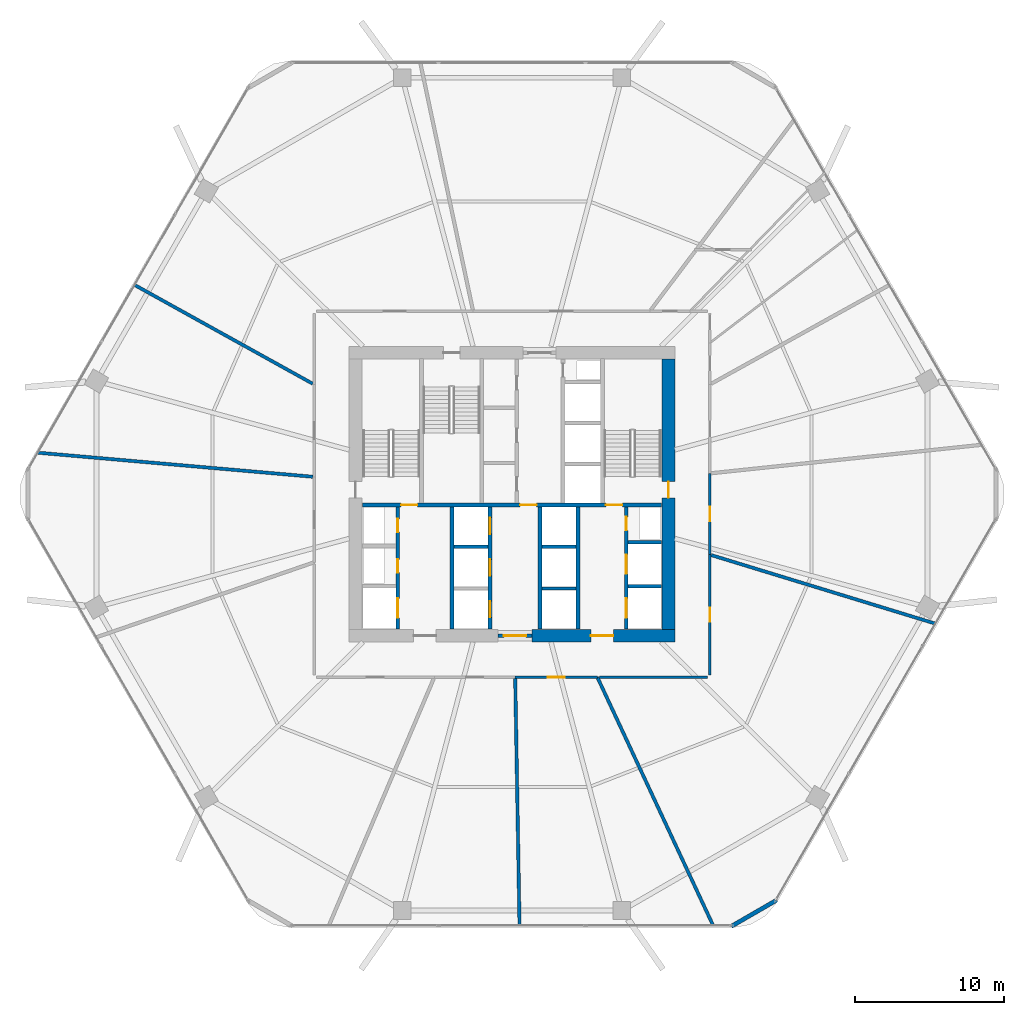
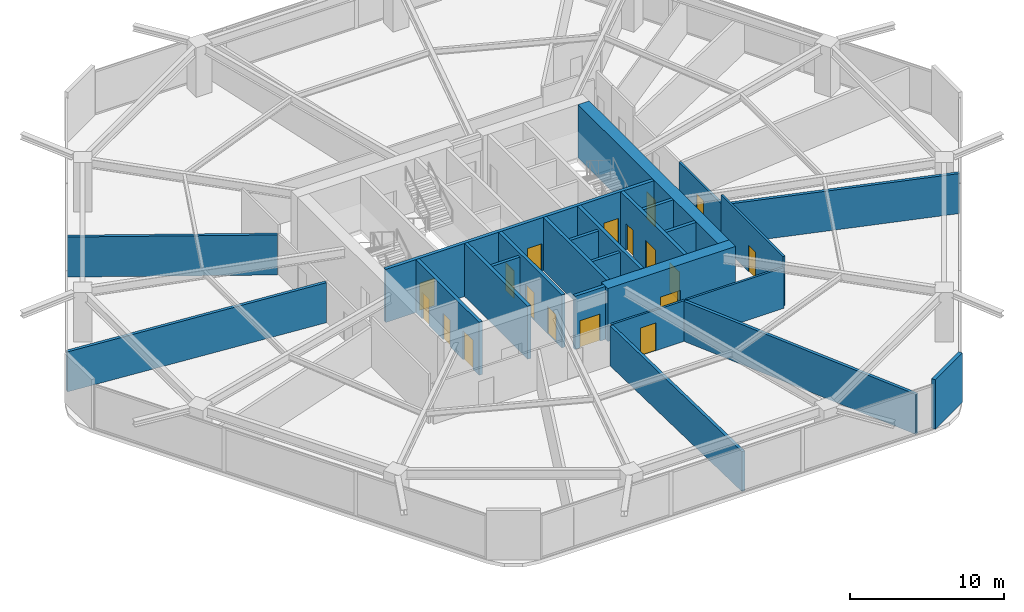
# One storey, part 22 of 25: 25 walls, 18 doors, 18 openings.
"""IFC4 building model written with IfcOpenShell, lengths in metres."""

from ifc_helpers import new_model, si_unit, direction, frame, frame_2d, origin, place, context, subcontext, project, spatial, rectangle, extrude, material, layer, layer_set, type_object, element, fill, save


model = new_model("IFC4")

# Units and contexts
model_context = context("Model", 3, precision=1e-05, world=origin(), true_north=direction((0.0, 1.0)))
body_context = subcontext(model_context, "Body", "Model", "MODEL_VIEW")
ifc_project = project(units=[si_unit("LENGTHUNIT", "METRE"), si_unit("AREAUNIT", "SQUARE_METRE"), si_unit("VOLUMEUNIT", "CUBIC_METRE"), si_unit("PLANEANGLEUNIT", "RADIAN"), si_unit("MASSUNIT", "GRAM", prefix="KILO")], contexts=[model_context])

# Site, building, storey
site_placement = place(None, origin())
site = spatial("IfcSite", under=ifc_project, at=site_placement, CompositionType="ELEMENT")
building_placement = place(site_placement, origin())
building = spatial("IfcBuilding", under=site, at=building_placement, Name="Zuhravey Tower", CompositionType="ELEMENT")
storey_placement = place(building_placement, frame((0.0, 0.0, 54.0)))
storey = spatial("IfcBuildingStorey", under=building, at=storey_placement, Name="L13", CompositionType="ELEMENT", Elevation=54.0)

# Wall, opening, door
ifc_material_1 = material(Name="Concrete C60/75", Category="concrete")
ifc_layer_1 = layer(ifc_material_1, 0.85009765625)
ifc_layer_set_1 = layer_set([ifc_layer_1], Name="Concrete C60/75")
wall_type_1 = type_object("IfcWallType", Name="Core Shear Wall 850", PredefinedType="SHEAR", material=ifc_layer_set_1)
wall_1_placement = place(storey_placement, frame((37.35009765625, 22.5, 0.0), z_axis=(0.0, 0.0, 1.0), x_axis=(1.0, 0.0, 0.0)))
wall_1 = element("IfcWall", 1, at=wall_1_placement, inside=storey, type_object=wall_type_1, Name="L13 South-East Core Shear Wall CW85", PredefinedType="SHEAR", context=body_context, shape_type="SweptSolid", body=[
    extrude(rectangle(XDim=9.574951171875, YDim=0.85009765625, at=frame_2d((4.78759765625, 0.0))), origin(), (0.0, 0.0, 1.0), 4.199951171875),
])
opening_1_placement = place(wall_1_placement, frame((3.949951171875, 0.0, 0.0)))
opening_1 = element("IfcOpeningElement", 2, at=opening_1_placement, cuts=wall_1, Name="Opening FFD1", PredefinedType="OPENING", context=body_context, shape_type="SweptSolid", body=[
    extrude(rectangle(XDim=1.5, YDim=2.14990234375, at=frame_2d((0.75, 1.074951171875))), frame((0.0, 0.43701171875, 0.0), z_axis=(0.0, -1.0, 0.0), x_axis=(1.0, 0.0, 0.0)), (0.0, 0.0, 1.0), 0.8740234375),
])
ifc_material_2 = material(Name="Galvanised fire-rated steel leaf", Category="steel")
door_type_1 = type_object("IfcDoorType", Name="Firefighting Lobby Double Door 1500x2150", OperationType="DOUBLE_DOOR_SINGLE_SWING", PredefinedType="DOOR", material=ifc_material_2)
door_1_placement = place(opening_1_placement, origin())
door_1 = element("IfcDoor", 3, at=door_1_placement, inside=storey, type_object=door_type_1, Name="L13 Firefighting Lobby East Door", OperationType="DOUBLE_DOOR_SINGLE_SWING", OverallHeight=2.14990234375, OverallWidth=1.5, PredefinedType="DOOR", context=body_context, shape_type="SweptSolid", body=[
    extrude(rectangle(XDim=1.5, YDim=2.14990234375, at=frame_2d((0.75, 1.074951171875))), frame((0.0, 0.02490234375, 0.0), z_axis=(0.0, -1.0, 0.0), x_axis=(1.0, 0.0, 0.0)), (0.0, 0.0, 1.0), 0.050048828125),
])
fill(opening_1, door_1)

wall_2_placement = place(storey_placement, frame((46.5, 22.925048828125, 0.0), z_axis=(0.0, 0.0, 1.0), x_axis=(0.0, 1.0, 0.0)))
wall_2 = element("IfcWall", 4, at=wall_2_placement, inside=storey, type_object=wall_type_1, Name="L13 East Core Shear Wall CW85", PredefinedType="SHEAR", context=body_context, shape_type="SweptSolid", body=[
    extrude(rectangle(XDim=18.14990234375, YDim=0.85009765625, at=frame_2d((9.074951171875, 0.0))), origin(), (0.0, 0.0, 1.0), 4.199951171875),
])
opening_2_placement = place(wall_2_placement, frame((8.824951171875, 0.0, 0.0)))
opening_2 = element("IfcOpeningElement", 5, at=opening_2_placement, cuts=wall_2, Name="Opening STD1", PredefinedType="OPENING", context=body_context, shape_type="SweptSolid", body=[
    extrude(rectangle(XDim=1.10009765625, YDim=2.14990234375, at=frame_2d((0.550048828125, 1.074951171875))), frame((0.0, 0.43701171875, 0.0), z_axis=(0.0, -1.0, 0.0), x_axis=(1.0, 0.0, 0.0)), (0.0, 0.0, 1.0), 0.8740234375),
])
door_type_2 = type_object("IfcDoorType", Name="Protected Stair Fire Door 1100x2150", OperationType="NOTDEFINED", PredefinedType="USERDEFINED", material=ifc_material_2)
door_2_placement = place(opening_2_placement, origin())
door_2 = element("IfcDoor", 6, at=door_2_placement, inside=storey, type_object=door_type_2, Name="L13 Stair ST2 Door", ObjectType="EXITDOOR", OperationType="SINGLE_SWING_RIGHT", OverallHeight=2.14990234375, OverallWidth=1.10009765625, PredefinedType="USERDEFINED", context=body_context, shape_type="SweptSolid", body=[
    extrude(rectangle(XDim=1.10009765625, YDim=2.14990234375, at=frame_2d((0.550048828125, 1.074951171875))), frame((0.0, 0.02490234375, 0.0), z_axis=(0.0, -1.0, 0.0), x_axis=(1.0, 0.0, 0.0)), (0.0, 0.0, 1.0), 0.050048828125),
])
fill(opening_2, door_2)

ifc_material_3 = material(Name="Gypsum fire-rated stud partition")
ifc_layer_2 = layer(ifc_material_3, 0.159912109375)
ifc_layer_set_2 = layer_set([ifc_layer_2], Name="Gypsum fire-rated stud partition")
wall_type_2 = type_object("IfcWallType", Name="Corridor Fire Partition 160", PredefinedType="PARTITIONING", material=ifc_layer_set_2)
wall_3_placement = place(storey_placement, frame((36.21435546875, 19.715087890625, 0.0), z_axis=(0.0, 0.0, 1.0), x_axis=(1.0, 0.0, 0.0)))
wall_3 = element("IfcWall", 7, at=wall_3_placement, inside=storey, type_object=wall_type_2, Name="L13 IW16 Partition 029", PredefinedType="PARTITIONING", context=body_context, shape_type="SweptSolid", body=[
    extrude(rectangle(XDim=5.51416015625, YDim=0.159912109375, at=frame_2d((2.757080078125, 0.0))), origin(), (0.0, 0.0, 1.0), 3.219970703125),
])
opening_3_placement = place(wall_3_placement, frame((2.18212890625, 0.0, 0.0)))
opening_3 = element("IfcOpeningElement", 8, at=opening_3_placement, cuts=wall_3, Name="Opening CLD1", PredefinedType="OPENING", context=body_context, shape_type="SweptSolid", body=[
    extrude(rectangle(XDim=1.14990234375, YDim=2.199951171875, at=frame_2d((0.574951171875, 1.10009765625))), frame((0.0, 0.092041015625, 0.0), z_axis=(0.0, -1.0, 0.0), x_axis=(1.0, 0.0, 0.0)), (0.0, 0.0, 1.0), 0.183837890625),
])
ifc_material_4 = material(Name="Acoustic timber leaf with vision lite", Category="wood")
door_type_3 = type_object("IfcDoorType", Name="Classroom Acoustic Door 1150x2200", OperationType="NOTDEFINED", PredefinedType="DOOR", material=ifc_material_4)
door_3_placement = place(opening_3_placement, frame((1.14990234375, 0.0, 0.0), z_axis=(0.0, 0.0, 1.0), x_axis=(-1.0, 0.0, 0.0)))
door_3 = element("IfcDoor", 9, at=door_3_placement, inside=storey, type_object=door_type_3, Name="L13 Door 029.1", OperationType="SINGLE_SWING_RIGHT", OverallHeight=2.199951171875, OverallWidth=1.14990234375, PredefinedType="DOOR", context=body_context, shape_type="SweptSolid", body=[
    extrude(rectangle(XDim=1.14990234375, YDim=2.199951171875, at=frame_2d((0.574951171875, 1.10009765625))), frame((0.0, 0.02490234375, 0.0), z_axis=(0.0, -1.0, 0.0), x_axis=(1.0, 0.0, 0.0)), (0.0, 0.0, 1.0), 0.050048828125),
])
fill(opening_3, door_3)

wall_4_placement = place(storey_placement, frame((49.284912109375, 19.875, 0.0), z_axis=(0.0, 0.0, 1.0), x_axis=(0.0, 1.0, 0.0)))
wall_4 = element("IfcWall", 10, at=wall_4_placement, inside=storey, type_object=wall_type_2, Name="L13 IW16 Partition 030", PredefinedType="PARTITIONING", context=body_context, shape_type="SweptSolid", body=[
    extrude(rectangle(XDim=8.0634765625, YDim=0.159912109375, at=frame_2d((4.03173828125, 0.0))), origin(), (0.0, 0.0, 1.0), 3.919921875),
])
opening_4_placement = place(wall_4_placement, frame((3.556640625, 0.0, 0.0)))
opening_4 = element("IfcOpeningElement", 11, at=opening_4_placement, cuts=wall_4, Name="Opening IND1", PredefinedType="OPENING", context=body_context, shape_type="SweptSolid", body=[
    extrude(rectangle(XDim=0.949951171875, YDim=2.10009765625, at=frame_2d((0.47509765625, 1.050048828125))), frame((0.0, 0.092041015625, 0.0), z_axis=(0.0, -1.0, 0.0), x_axis=(1.0, 0.0, 0.0)), (0.0, 0.0, 1.0), 0.183837890625),
])
ifc_material_5 = material(Name="Painted engineered timber leaf", Category="wood")
door_type_4 = type_object("IfcDoorType", Name="Internal Room & Bedroom Door 950x2100", OperationType="NOTDEFINED", PredefinedType="DOOR", material=ifc_material_5)
door_4_placement = place(opening_4_placement, frame((0.949951171875, 0.0, 0.0), z_axis=(0.0, 0.0, 1.0), x_axis=(-1.0, 0.0, 0.0)))
door_4 = element("IfcDoor", 12, at=door_4_placement, inside=storey, type_object=door_type_4, Name="L13 Door 030.1", OperationType="SINGLE_SWING_LEFT", OverallHeight=2.10009765625, OverallWidth=0.949951171875, PredefinedType="DOOR", context=body_context, shape_type="SweptSolid", body=[
    extrude(rectangle(XDim=0.949951171875, YDim=2.10009765625, at=frame_2d((0.47509765625, 1.050048828125))), frame((0.0, 0.02490234375, 0.0), z_axis=(0.0, -1.0, 0.0), x_axis=(1.0, 0.0, 0.0)), (0.0, 0.0, 1.0), 0.050048828125),
])
fill(opening_4, door_4)

wall_5_placement = place(storey_placement, frame((49.284912109375, 27.9384765625, 0.0), z_axis=(0.0, 0.0, 1.0), x_axis=(0.0, 1.0, 0.0)))
wall_5 = element("IfcWall", 13, at=wall_5_placement, inside=storey, type_object=wall_type_2, Name="L13 IW16 Partition 031", PredefinedType="PARTITIONING", context=body_context, shape_type="SweptSolid", body=[
    extrude(rectangle(XDim=5.457763671875, YDim=0.159912109375, at=frame_2d((2.72900390625, 0.0))), origin(), (0.0, 0.0, 1.0), 3.219970703125),
])
opening_5_placement = place(wall_5_placement, frame((2.25390625, 0.0, 0.0)))
opening_5 = element("IfcOpeningElement", 14, at=opening_5_placement, cuts=wall_5, Name="Opening IND1", PredefinedType="OPENING", context=body_context, shape_type="SweptSolid", body=[
    extrude(rectangle(XDim=0.949951171875, YDim=2.10009765625, at=frame_2d((0.47509765625, 1.050048828125))), frame((0.0, 0.092041015625, 0.0), z_axis=(0.0, -1.0, 0.0), x_axis=(1.0, 0.0, 0.0)), (0.0, 0.0, 1.0), 0.183837890625),
])
door_5_placement = place(opening_5_placement, frame((0.949951171875, 0.0, 0.0), z_axis=(0.0, 0.0, 1.0), x_axis=(-1.0, 0.0, 0.0)))
door_5 = element("IfcDoor", 15, at=door_5_placement, inside=storey, type_object=door_type_4, Name="L13 Door 031.1", OperationType="SINGLE_SWING_RIGHT", OverallHeight=2.10009765625, OverallWidth=0.949951171875, PredefinedType="DOOR", context=body_context, shape_type="SweptSolid", body=[
    extrude(rectangle(XDim=0.949951171875, YDim=2.10009765625, at=frame_2d((0.47509765625, 1.050048828125))), frame((0.0, 0.02490234375, 0.0), z_axis=(0.0, -1.0, 0.0), x_axis=(1.0, 0.0, 0.0)), (0.0, 0.0, 1.0), 0.050048828125),
])
fill(opening_5, door_5)

# Walls
wall_6_placement = place(storey_placement, frame((41.85888671875, 19.715087890625, 0.0), z_axis=(0.0, 0.0, 1.0), x_axis=(1.0, 0.0, 0.0)))
element("IfcWall", 16, at=wall_6_placement, inside=storey, type_object=wall_type_2, Name="L13 IW16 Partition 059", PredefinedType="PARTITIONING", context=body_context, shape_type="SweptSolid", body=[
    extrude(rectangle(XDim=7.26611328125, YDim=0.159912109375, at=frame_2d((3.633056640625, 0.0))), origin(), (0.0, 0.0, 1.0), 3.219970703125),
])
ifc_material_6 = material(Name="Precast concrete C40/50", Category="concrete")
ifc_layer_3 = layer(ifc_material_6, 0.280029296875)
ifc_layer_set_3 = layer_set([ifc_layer_3], Name="Precast concrete C40/50")
wall_type_3 = type_object("IfcWallType", Name="Crown Architectural Wall 280", PredefinedType="SOLIDWALL", material=ifc_layer_set_3)
wall_7_placement = place(storey_placement, frame((53.76123046875, 4.75146484375, 0.0), z_axis=(0.0, 0.0, 1.0), x_axis=(-0.866007452331, -0.500031091541, 0.0)))
element("IfcWall", 17, at=wall_7_placement, inside=storey, type_object=wall_type_3, Name="L13 Rounded Corner Closure Wall EW28-02", PredefinedType="SOLIDWALL", context=body_context, shape_type="SweptSolid", body=[
    extrude(rectangle(XDim=3.514892578125, YDim=0.280029296875, at=frame_2d((1.75732421875, 0.0))), origin(), (0.0, 0.0, 1.0), 3.919921875),
])

# Wall, opening, door
ifc_material_7 = material(Name="Concrete C50/60", Category="concrete")
ifc_layer_4 = layer(ifc_material_7, 0.25)
ifc_layer_set_4 = layer_set([ifc_layer_4], Name="Concrete C50/60")
wall_type_4 = type_object("IfcWallType", Name="Firefighting Shaft & Stair Wall 250", PredefinedType="SOLIDWALL", material=ifc_layer_set_4)
wall_8_placement = place(storey_placement, frame((35.06005859375, 22.5, 0.0), z_axis=(0.0, 0.0, 1.0), x_axis=(1.0, 0.0, 0.0)))
wall_8 = element("IfcWall", 18, at=wall_8_placement, inside=storey, type_object=wall_type_4, Name="L13 FW25 Shaft Wall 001", PredefinedType="SOLIDWALL", context=body_context, shape_type="SweptSolid", body=[
    extrude(rectangle(XDim=2.280029296875, YDim=0.25, at=frame_2d((1.14013671875, 0.0))), origin(), (0.0, 0.0, 1.0), 4.199951171875),
])
opening_6_placement = place(wall_8_placement, frame((0.389892578125, 0.0, 0.0)))
opening_6 = element("IfcOpeningElement", 19, at=opening_6_placement, cuts=wall_8, Name="Opening FFD1", PredefinedType="OPENING", context=body_context, shape_type="SweptSolid", body=[
    extrude(rectangle(XDim=1.5, YDim=2.14990234375, at=frame_2d((0.75, 1.074951171875))), frame((0.0, 0.136962890625, 0.0), z_axis=(0.0, -1.0, 0.0), x_axis=(1.0, 0.0, 0.0)), (0.0, 0.0, 1.0), 0.27392578125),
])
door_6_placement = place(opening_6_placement, frame((1.5, 0.0, 0.0), z_axis=(0.0, 0.0, 1.0), x_axis=(-1.0, 0.0, 0.0)))
door_6 = element("IfcDoor", 20, at=door_6_placement, inside=storey, type_object=door_type_1, Name="L13 South Lift Lobby Exit Door", OperationType="DOUBLE_DOOR_SINGLE_SWING", OverallHeight=2.14990234375, OverallWidth=1.5, PredefinedType="DOOR", context=body_context, shape_type="SweptSolid", body=[
    extrude(rectangle(XDim=1.5, YDim=2.14990234375, at=frame_2d((0.75, 1.074951171875))), frame((0.0, 0.02490234375, 0.0), z_axis=(0.0, -1.0, 0.0), x_axis=(1.0, 0.0, 0.0)), (0.0, 0.0, 1.0), 0.050048828125),
])
fill(opening_6, door_6)

# Wall, openings, doors
wall_9_placement = place(storey_placement, frame((25.949951171875, 31.27490234375, 0.0), z_axis=(0.0, 0.0, 1.0), x_axis=(1.0, 0.0, 0.0)))
wall_9 = element("IfcWall", 21, at=wall_9_placement, inside=storey, type_object=wall_type_4, Name="L13 FW25 Shaft Wall 003", PredefinedType="SOLIDWALL", context=body_context, shape_type="SweptSolid", body=[
    extrude(rectangle(XDim=20.10009765625, YDim=0.25, at=frame_2d((10.050048828125, 0.0))), origin(), (0.0, 0.0, 1.0), 4.199951171875),
])
opening_7_placement = place(wall_9_placement, frame((2.60009765625, 0.0, 0.0)))
opening_7 = element("IfcOpeningElement", 22, at=opening_7_placement, cuts=wall_9, Name="Opening STD1", PredefinedType="OPENING", context=body_context, shape_type="SweptSolid", body=[
    extrude(rectangle(XDim=1.10009765625, YDim=2.14990234375, at=frame_2d((0.550048828125, 1.074951171875))), frame((0.0, 0.136962890625, 0.0), z_axis=(0.0, -1.0, 0.0), x_axis=(1.0, 0.0, 0.0)), (0.0, 0.0, 1.0), 0.27392578125),
])
opening_8_placement = place(wall_9_placement, frame((10.60009765625, 0.0, 0.0)))
opening_8 = element("IfcOpeningElement", 23, at=opening_8_placement, cuts=wall_9, Name="Opening STD1", PredefinedType="OPENING", context=body_context, shape_type="SweptSolid", body=[
    extrude(rectangle(XDim=1.10009765625, YDim=2.14990234375, at=frame_2d((0.550048828125, 1.074951171875))), frame((0.0, 0.136962890625, 0.0), z_axis=(0.0, -1.0, 0.0), x_axis=(1.0, 0.0, 0.0)), (0.0, 0.0, 1.0), 0.27392578125),
])
opening_9_placement = place(wall_9_placement, frame((16.35009765625, 0.0, 0.0)))
opening_9 = element("IfcOpeningElement", 24, at=opening_9_placement, cuts=wall_9, Name="Opening STD1", PredefinedType="OPENING", context=body_context, shape_type="SweptSolid", body=[
    extrude(rectangle(XDim=1.10009765625, YDim=2.14990234375, at=frame_2d((0.550048828125, 1.074951171875))), frame((0.0, 0.136962890625, 0.0), z_axis=(0.0, -1.0, 0.0), x_axis=(1.0, 0.0, 0.0)), (0.0, 0.0, 1.0), 0.27392578125),
])
door_7_placement = place(opening_7_placement, origin())
door_7 = element("IfcDoor", 25, at=door_7_placement, inside=storey, type_object=door_type_2, Name="L13 FFL-W to ST1 Door", ObjectType="EXITDOOR", OperationType="SINGLE_SWING_RIGHT", OverallHeight=2.14990234375, OverallWidth=1.10009765625, PredefinedType="USERDEFINED", context=body_context, shape_type="SweptSolid", body=[
    extrude(rectangle(XDim=1.10009765625, YDim=2.14990234375, at=frame_2d((0.550048828125, 1.074951171875))), frame((0.0, 0.02490234375, 0.0), z_axis=(0.0, -1.0, 0.0), x_axis=(1.0, 0.0, 0.0)), (0.0, 0.0, 1.0), 0.050048828125),
])
fill(opening_7, door_7)
door_8_placement = place(opening_8_placement, origin())
door_8 = element("IfcDoor", 26, at=door_8_placement, inside=storey, type_object=door_type_2, Name="L13 Core Lobby Link Door", ObjectType="EXITDOOR", OperationType="SINGLE_SWING_LEFT", OverallHeight=2.14990234375, OverallWidth=1.10009765625, PredefinedType="USERDEFINED", context=body_context, shape_type="SweptSolid", body=[
    extrude(rectangle(XDim=1.10009765625, YDim=2.14990234375, at=frame_2d((0.550048828125, 1.074951171875))), frame((0.0, 0.02490234375, 0.0), z_axis=(0.0, -1.0, 0.0), x_axis=(1.0, 0.0, 0.0)), (0.0, 0.0, 1.0), 0.050048828125),
])
fill(opening_8, door_8)
door_9_placement = place(opening_9_placement, origin())
door_9 = element("IfcDoor", 27, at=door_9_placement, inside=storey, type_object=door_type_2, Name="L13 FFL-E to ST2 Door", ObjectType="EXITDOOR", OperationType="SINGLE_SWING_RIGHT", OverallHeight=2.14990234375, OverallWidth=1.10009765625, PredefinedType="USERDEFINED", context=body_context, shape_type="SweptSolid", body=[
    extrude(rectangle(XDim=1.10009765625, YDim=2.14990234375, at=frame_2d((0.550048828125, 1.074951171875))), frame((0.0, 0.02490234375, 0.0), z_axis=(0.0, -1.0, 0.0), x_axis=(1.0, 0.0, 0.0)), (0.0, 0.0, 1.0), 0.050048828125),
])
fill(opening_9, door_9)

wall_10_placement = place(storey_placement, frame((28.324951171875, 22.949951171875, 0.0), z_axis=(0.0, 0.0, 1.0), x_axis=(0.0, 1.0, 0.0)))
wall_10 = element("IfcWall", 28, at=wall_10_placement, inside=storey, type_object=wall_type_4, Name="L13 FW25 Shaft Wall 011", PredefinedType="SOLIDWALL", context=body_context, shape_type="SweptSolid", body=[
    extrude(rectangle(XDim=8.199951171875, YDim=0.25, at=frame_2d((4.10009765625, 0.0))), origin(), (0.0, 0.0, 1.0), 4.199951171875),
])
opening_10_placement = place(wall_10_placement, frame((0.75, 0.0, 0.0)))
opening_10 = element("IfcOpeningElement", 29, at=opening_10_placement, cuts=wall_10, Name="Opening LD2", PredefinedType="OPENING", context=body_context, shape_type="SweptSolid", body=[
    extrude(rectangle(XDim=1.300048828125, YDim=2.300048828125, at=frame_2d((0.64990234375, 1.14990234375))), frame((0.0, 0.136962890625, 0.0), z_axis=(0.0, -1.0, 0.0), x_axis=(1.0, 0.0, 0.0)), (0.0, 0.0, 1.0), 0.27392578125),
])
opening_11_placement = place(wall_10_placement, frame((3.780029296875, 0.0, 0.0)))
opening_11 = element("IfcOpeningElement", 30, at=opening_11_placement, cuts=wall_10, Name="Opening RSD1", PredefinedType="OPENING", context=body_context, shape_type="SweptSolid", body=[
    extrude(rectangle(XDim=0.89990234375, YDim=2.10009765625, at=frame_2d((0.449951171875, 1.050048828125))), frame((0.0, 0.136962890625, 0.0), z_axis=(0.0, -1.0, 0.0), x_axis=(1.0, 0.0, 0.0)), (0.0, 0.0, 1.0), 0.27392578125),
])
opening_12_placement = place(wall_10_placement, frame((6.5, 0.0, 0.0)))
opening_12 = element("IfcOpeningElement", 31, at=opening_12_placement, cuts=wall_10, Name="Opening RSD1", PredefinedType="OPENING", context=body_context, shape_type="SweptSolid", body=[
    extrude(rectangle(XDim=0.89990234375, YDim=2.10009765625, at=frame_2d((0.449951171875, 1.050048828125))), frame((0.0, 0.136962890625, 0.0), z_axis=(0.0, -1.0, 0.0), x_axis=(1.0, 0.0, 0.0)), (0.0, 0.0, 1.0), 0.27392578125),
])
ifc_material_8 = material(Name="Brushed stainless steel", Category="steel")
door_type_5 = type_object("IfcDoorType", Name="Freight & Stretcher Lift Sliding Door 1300x2300", OperationType="DOUBLE_DOOR_SLIDING", PredefinedType="DOOR", material=ifc_material_8)
door_10_placement = place(opening_10_placement, frame((1.300048828125, 0.0, 0.0), z_axis=(0.0, 0.0, 1.0), x_axis=(-1.0, 0.0, 0.0)))
door_10 = element("IfcDoor", 32, at=door_10_placement, inside=storey, type_object=door_type_5, Name="L13 Lift FF1 Landing Door", OperationType="DOUBLE_DOOR_SLIDING", OverallHeight=2.300048828125, OverallWidth=1.300048828125, PredefinedType="DOOR", context=body_context, shape_type="SweptSolid", body=[
    extrude(rectangle(XDim=1.300048828125, YDim=2.300048828125, at=frame_2d((0.64990234375, 1.14990234375))), frame((0.0, 0.02490234375, 0.0), z_axis=(0.0, -1.0, 0.0), x_axis=(1.0, 0.0, 0.0)), (0.0, 0.0, 1.0), 0.050048828125),
])
fill(opening_10, door_10)
ifc_material_9 = material(Name="Galvanised fire-rated steel access leaf", Category="steel")
door_type_6 = type_object("IfcDoorType", Name="Riser & Shaft Access Fire Door 900x2100", OperationType="NOTDEFINED", PredefinedType="DOOR", material=ifc_material_9)
door_11_placement = place(opening_11_placement, frame((0.89990234375, 0.0, 0.0), z_axis=(0.0, 0.0, 1.0), x_axis=(-1.0, 0.0, 0.0)))
door_11 = element("IfcDoor", 33, at=door_11_placement, inside=storey, type_object=door_type_6, Name="L13 Electrical Riser Door", OperationType="SINGLE_SWING_LEFT", OverallHeight=2.10009765625, OverallWidth=0.89990234375, PredefinedType="DOOR", context=body_context, shape_type="SweptSolid", body=[
    extrude(rectangle(XDim=0.89990234375, YDim=2.10009765625, at=frame_2d((0.449951171875, 1.050048828125))), frame((0.0, 0.02490234375, 0.0), z_axis=(0.0, -1.0, 0.0), x_axis=(1.0, 0.0, 0.0)), (0.0, 0.0, 1.0), 0.050048828125),
])
fill(opening_11, door_11)
door_12_placement = place(opening_12_placement, frame((0.89990234375, 0.0, 0.0), z_axis=(0.0, 0.0, 1.0), x_axis=(-1.0, 0.0, 0.0)))
door_12 = element("IfcDoor", 34, at=door_12_placement, inside=storey, type_object=door_type_6, Name="L13 Smoke Shaft Access Door", OperationType="SINGLE_SWING_RIGHT", OverallHeight=2.10009765625, OverallWidth=0.89990234375, PredefinedType="DOOR", context=body_context, shape_type="SweptSolid", body=[
    extrude(rectangle(XDim=0.89990234375, YDim=2.10009765625, at=frame_2d((0.449951171875, 1.050048828125))), frame((0.0, 0.02490234375, 0.0), z_axis=(0.0, -1.0, 0.0), x_axis=(1.0, 0.0, 0.0)), (0.0, 0.0, 1.0), 0.050048828125),
])
fill(opening_12, door_12)

# Wall
wall_11_placement = place(storey_placement, frame((31.97509765625, 22.949951171875, 0.0), z_axis=(0.0, 0.0, 1.0), x_axis=(0.0, 1.0, 0.0)))
element("IfcWall", 35, at=wall_11_placement, inside=storey, type_object=wall_type_4, Name="L13 FW25 Shaft Wall 012", PredefinedType="SOLIDWALL", context=body_context, shape_type="SweptSolid", body=[
    extrude(rectangle(XDim=8.199951171875, YDim=0.25, at=frame_2d((4.10009765625, 0.0))), origin(), (0.0, 0.0, 1.0), 4.199951171875),
])

# Wall, openings, doors
wall_12_placement = place(storey_placement, frame((34.52490234375, 22.949951171875, 0.0), z_axis=(0.0, 0.0, 1.0), x_axis=(0.0, 1.0, 0.0)))
wall_12 = element("IfcWall", 36, at=wall_12_placement, inside=storey, type_object=wall_type_4, Name="L13 FW25 Shaft Wall 013", PredefinedType="SOLIDWALL", context=body_context, shape_type="SweptSolid", body=[
    extrude(rectangle(XDim=8.199951171875, YDim=0.25, at=frame_2d((4.10009765625, 0.0))), origin(), (0.0, 0.0, 1.0), 4.199951171875),
])
opening_13_placement = place(wall_12_placement, frame((0.77490234375, 0.0, 0.0)))
opening_13 = element("IfcOpeningElement", 37, at=opening_13_placement, cuts=wall_12, Name="Opening LD1", PredefinedType="OPENING", context=body_context, shape_type="SweptSolid", body=[
    extrude(rectangle(XDim=1.10009765625, YDim=2.199951171875, at=frame_2d((0.550048828125, 1.10009765625))), frame((0.0, 0.136962890625, 0.0), z_axis=(0.0, -1.0, 0.0), x_axis=(1.0, 0.0, 0.0)), (0.0, 0.0, 1.0), 0.27392578125),
])
opening_14_placement = place(wall_12_placement, frame((3.574951171875, 0.0, 0.0)))
opening_14 = element("IfcOpeningElement", 38, at=opening_14_placement, cuts=wall_12, Name="Opening LD1", PredefinedType="OPENING", context=body_context, shape_type="SweptSolid", body=[
    extrude(rectangle(XDim=1.10009765625, YDim=2.199951171875, at=frame_2d((0.550048828125, 1.10009765625))), frame((0.0, 0.136962890625, 0.0), z_axis=(0.0, -1.0, 0.0), x_axis=(1.0, 0.0, 0.0)), (0.0, 0.0, 1.0), 0.27392578125),
])
opening_15_placement = place(wall_12_placement, frame((6.375, 0.0, 0.0)))
opening_15 = element("IfcOpeningElement", 39, at=opening_15_placement, cuts=wall_12, Name="Opening LD1", PredefinedType="OPENING", context=body_context, shape_type="SweptSolid", body=[
    extrude(rectangle(XDim=1.10009765625, YDim=2.199951171875, at=frame_2d((0.550048828125, 1.10009765625))), frame((0.0, 0.136962890625, 0.0), z_axis=(0.0, -1.0, 0.0), x_axis=(1.0, 0.0, 0.0)), (0.0, 0.0, 1.0), 0.27392578125),
])
door_type_7 = type_object("IfcDoorType", Name="Lift Landing Sliding Door 1100x2200", OperationType="DOUBLE_DOOR_SLIDING", PredefinedType="DOOR", material=ifc_material_8)
door_13_placement = place(opening_13_placement, frame((1.10009765625, 0.0, 0.0), z_axis=(0.0, 0.0, 1.0), x_axis=(-1.0, 0.0, 0.0)))
door_13 = element("IfcDoor", 40, at=door_13_placement, inside=storey, type_object=door_type_7, Name="L13 Lift PL1 Landing Door", OperationType="DOUBLE_DOOR_SLIDING", OverallHeight=2.199951171875, OverallWidth=1.10009765625, PredefinedType="DOOR", context=body_context, shape_type="SweptSolid", body=[
    extrude(rectangle(XDim=1.10009765625, YDim=2.199951171875, at=frame_2d((0.550048828125, 1.10009765625))), frame((0.0, 0.02490234375, 0.0), z_axis=(0.0, -1.0, 0.0), x_axis=(1.0, 0.0, 0.0)), (0.0, 0.0, 1.0), 0.050048828125),
])
fill(opening_13, door_13)
door_14_placement = place(opening_14_placement, frame((1.10009765625, 0.0, 0.0), z_axis=(0.0, 0.0, 1.0), x_axis=(-1.0, 0.0, 0.0)))
door_14 = element("IfcDoor", 41, at=door_14_placement, inside=storey, type_object=door_type_7, Name="L13 Lift PL2 Landing Door", OperationType="DOUBLE_DOOR_SLIDING", OverallHeight=2.199951171875, OverallWidth=1.10009765625, PredefinedType="DOOR", context=body_context, shape_type="SweptSolid", body=[
    extrude(rectangle(XDim=1.10009765625, YDim=2.199951171875, at=frame_2d((0.550048828125, 1.10009765625))), frame((0.0, 0.02490234375, 0.0), z_axis=(0.0, -1.0, 0.0), x_axis=(1.0, 0.0, 0.0)), (0.0, 0.0, 1.0), 0.050048828125),
])
fill(opening_14, door_14)
door_15_placement = place(opening_15_placement, frame((1.10009765625, 0.0, 0.0), z_axis=(0.0, 0.0, 1.0), x_axis=(-1.0, 0.0, 0.0)))
door_15 = element("IfcDoor", 42, at=door_15_placement, inside=storey, type_object=door_type_7, Name="L13 Lift PL3 Landing Door", OperationType="DOUBLE_DOOR_SLIDING", OverallHeight=2.199951171875, OverallWidth=1.10009765625, PredefinedType="DOOR", context=body_context, shape_type="SweptSolid", body=[
    extrude(rectangle(XDim=1.10009765625, YDim=2.199951171875, at=frame_2d((0.550048828125, 1.10009765625))), frame((0.0, 0.02490234375, 0.0), z_axis=(0.0, -1.0, 0.0), x_axis=(1.0, 0.0, 0.0)), (0.0, 0.0, 1.0), 0.050048828125),
])
fill(opening_15, door_15)

# Walls
for number, where, z_axis, x_axis, name in (
    (43, (37.875, 22.949951171875, 0.0), (0.0, 0.0, 1.0), (0.0, 1.0, 0.0), "L13 FW25 Shaft Wall 014"),
    (44, (40.425048828125, 22.949951171875, 0.0), (0.0, 0.0, 1.0), (0.0, 1.0, 0.0), "L13 FW25 Shaft Wall 015"),
):
    element("IfcWall", number, at=place(storey_placement, frame(where, z_axis=z_axis, x_axis=x_axis)), inside=storey, type_object=wall_type_4, Name=name, PredefinedType="SOLIDWALL", context=body_context, shape_type="SweptSolid", body=[
        extrude(rectangle(XDim=8.199951171875, YDim=0.25, at=frame_2d((4.10009765625, 0.0))), origin(), (0.0, 0.0, 1.0), 4.199951171875),
    ])
for number, where, z_axis, x_axis, name in (
    (45, (43.800048828125, 25.824951171875, 0.0), (0.0, 0.0, 1.0), (1.0, 0.0, 0.0), "L13 FW25 Shaft Wall 016"),
    (46, (43.800048828125, 28.77490234375, 0.0), (0.0, 0.0, 1.0), (1.0, 0.0, 0.0), "L13 FW25 Shaft Wall 017"),
):
    element("IfcWall", number, at=place(storey_placement, frame(where, z_axis=z_axis, x_axis=x_axis)), inside=storey, type_object=wall_type_4, Name=name, PredefinedType="SOLIDWALL", context=body_context, shape_type="SweptSolid", body=[
        extrude(rectangle(XDim=2.25, YDim=0.25, at=frame_2d((1.125, 0.0))), origin(), (0.0, 0.0, 1.0), 4.199951171875),
    ])

# Wall, openings, doors
wall_13_placement = place(storey_placement, frame((43.675048828125, 22.949951171875, 0.0), z_axis=(0.0, 0.0, 1.0), x_axis=(0.0, 1.0, 0.0)))
wall_13 = element("IfcWall", 47, at=wall_13_placement, inside=storey, type_object=wall_type_4, Name="L13 FW25 Shaft Wall 018", PredefinedType="SOLIDWALL", context=body_context, shape_type="SweptSolid", body=[
    extrude(rectangle(XDim=8.199951171875, YDim=0.25, at=frame_2d((4.10009765625, 0.0))), origin(), (0.0, 0.0, 1.0), 4.199951171875),
])
opening_16_placement = place(wall_13_placement, frame((0.75, 0.0, 0.0)))
opening_16 = element("IfcOpeningElement", 48, at=opening_16_placement, cuts=wall_13, Name="Opening LD2", PredefinedType="OPENING", context=body_context, shape_type="SweptSolid", body=[
    extrude(rectangle(XDim=1.300048828125, YDim=2.300048828125, at=frame_2d((0.64990234375, 1.14990234375))), frame((0.0, 0.136962890625, 0.0), z_axis=(0.0, -1.0, 0.0), x_axis=(1.0, 0.0, 0.0)), (0.0, 0.0, 1.0), 0.27392578125),
])
opening_17_placement = place(wall_13_placement, frame((3.699951171875, 0.0, 0.0)))
opening_17 = element("IfcOpeningElement", 49, at=opening_17_placement, cuts=wall_13, Name="Opening LD2", PredefinedType="OPENING", context=body_context, shape_type="SweptSolid", body=[
    extrude(rectangle(XDim=1.300048828125, YDim=2.300048828125, at=frame_2d((0.64990234375, 1.14990234375))), frame((0.0, 0.136962890625, 0.0), z_axis=(0.0, -1.0, 0.0), x_axis=(1.0, 0.0, 0.0)), (0.0, 0.0, 1.0), 0.27392578125),
])
opening_18_placement = place(wall_13_placement, frame((6.6201171875, 0.0, 0.0)))
opening_18 = element("IfcOpeningElement", 50, at=opening_18_placement, cuts=wall_13, Name="Opening RSD1", PredefinedType="OPENING", context=body_context, shape_type="SweptSolid", body=[
    extrude(rectangle(XDim=0.89990234375, YDim=2.10009765625, at=frame_2d((0.449951171875, 1.050048828125))), frame((0.0, 0.136962890625, 0.0), z_axis=(0.0, -1.0, 0.0), x_axis=(1.0, 0.0, 0.0)), (0.0, 0.0, 1.0), 0.27392578125),
])
door_16_placement = place(opening_16_placement, origin())
door_16 = element("IfcDoor", 51, at=door_16_placement, inside=storey, type_object=door_type_5, Name="L13 Lift FF2 Landing Door", OperationType="DOUBLE_DOOR_SLIDING", OverallHeight=2.300048828125, OverallWidth=1.300048828125, PredefinedType="DOOR", context=body_context, shape_type="SweptSolid", body=[
    extrude(rectangle(XDim=1.300048828125, YDim=2.300048828125, at=frame_2d((0.64990234375, 1.14990234375))), frame((0.0, 0.02490234375, 0.0), z_axis=(0.0, -1.0, 0.0), x_axis=(1.0, 0.0, 0.0)), (0.0, 0.0, 1.0), 0.050048828125),
])
fill(opening_16, door_16)
door_17_placement = place(opening_17_placement, origin())
door_17 = element("IfcDoor", 52, at=door_17_placement, inside=storey, type_object=door_type_5, Name="L13 Lift SV1 Landing Door", OperationType="DOUBLE_DOOR_SLIDING", OverallHeight=2.300048828125, OverallWidth=1.300048828125, PredefinedType="DOOR", context=body_context, shape_type="SweptSolid", body=[
    extrude(rectangle(XDim=1.300048828125, YDim=2.300048828125, at=frame_2d((0.64990234375, 1.14990234375))), frame((0.0, 0.02490234375, 0.0), z_axis=(0.0, -1.0, 0.0), x_axis=(1.0, 0.0, 0.0)), (0.0, 0.0, 1.0), 0.050048828125),
])
fill(opening_17, door_17)
door_18_placement = place(opening_18_placement, origin())
door_18 = element("IfcDoor", 53, at=door_18_placement, inside=storey, type_object=door_type_6, Name="L13 Plumbing Riser Door", OperationType="SINGLE_SWING_LEFT", OverallHeight=2.10009765625, OverallWidth=0.89990234375, PredefinedType="DOOR", context=body_context, shape_type="SweptSolid", body=[
    extrude(rectangle(XDim=0.89990234375, YDim=2.10009765625, at=frame_2d((0.449951171875, 1.050048828125))), frame((0.0, 0.02490234375, 0.0), z_axis=(0.0, -1.0, 0.0), x_axis=(1.0, 0.0, 0.0)), (0.0, 0.0, 1.0), 0.050048828125),
])
fill(opening_18, door_18)

# Walls
ifc_material_10 = material(Name="Gypsum acoustic stud assembly")
ifc_layer_5 = layer(ifc_material_10, 0.219970703125)
ifc_layer_set_5 = layer_set([ifc_layer_5], Name="Gypsum acoustic stud assembly")
wall_type_5 = type_object("IfcWallType", Name="School Acoustic Compartment Wall 220", PredefinedType="PARTITIONING", material=ifc_layer_set_5)
wall_14_placement = place(storey_placement, frame((32.10791015625, 28.47509765625, 0.0), z_axis=(0.0, 0.0, 1.0), x_axis=(1.0, 0.0, 0.0)))
element("IfcWall", 54, at=wall_14_placement, inside=storey, type_object=wall_type_5, Name="L13 IW22 Partition 039", PredefinedType="PARTITIONING", context=body_context, shape_type="SweptSolid", body=[
    extrude(rectangle(XDim=2.2841796875, YDim=0.219970703125, at=frame_2d((1.14208984375, 0.0))), origin(), (0.0, 0.0, 1.0), 3.919921875),
])
for number, where, z_axis, x_axis, name in (
    (55, (38.008056640625, 25.675048828125, 0.0), (0.0, 0.0, 1.0), (1.0, 0.0, 0.0), "L13 IW22 Partition 040"),
    (56, (38.008056640625, 28.47509765625, 0.0), (0.0, 0.0, 1.0), (1.0, 0.0, 0.0), "L13 IW22 Partition 041"),
):
    element("IfcWall", number, at=place(storey_placement, frame(where, z_axis=z_axis, x_axis=x_axis)), inside=storey, type_object=wall_type_5, Name=name, PredefinedType="PARTITIONING", context=body_context, shape_type="SweptSolid", body=[
        extrude(rectangle(XDim=2.283935546875, YDim=0.219970703125, at=frame_2d((1.14208984375, 0.0))), origin(), (0.0, 0.0, 1.0), 3.919921875),
    ])
wall_15_placement = place(storey_placement, frame((22.626953125, 39.412841796875, 0.0), z_axis=(0.0, 0.0, 1.0), x_axis=(-0.874620963666, 0.484807353405, 0.0)))
element("IfcWall", 57, at=wall_15_placement, inside=storey, type_object=wall_type_5, Name="L13 IW22 Partition 052", PredefinedType="PARTITIONING", context=body_context, shape_type="SweptSolid", body=[
    extrude(rectangle(XDim=13.6728515625, YDim=0.219970703125, at=frame_2d((6.83642578125, 0.0))), origin(), (0.0, 0.0, 1.0), 3.169921875),
])
wall_16_placement = place(storey_placement, frame((22.626953125, 33.169921875, 0.0), z_axis=(0.0, 0.0, 1.0), x_axis=(-0.99619391773, 0.087164661858, 0.0)))
element("IfcWall", 58, at=wall_16_placement, inside=storey, type_object=wall_type_5, Name="L13 IW22 Partition 053", PredefinedType="PARTITIONING", context=body_context, shape_type="SweptSolid", body=[
    extrude(rectangle(XDim=18.528076171875, YDim=0.219970703125, at=frame_2d((9.26416015625, 0.0))), origin(), (0.0, 0.0, 1.0), 3.169921875),
])
wall_17_placement = place(storey_placement, frame((36.216064453125, 19.626953125, 0.0), z_axis=(0.0, 0.0, 1.0), x_axis=(0.01745546123, -0.99984764183, 0.0)))
element("IfcWall", 59, at=wall_17_placement, inside=storey, type_object=wall_type_5, Name="L13 IW22 Partition 057", PredefinedType="PARTITIONING", context=body_context, shape_type="SweptSolid", body=[
    extrude(rectangle(XDim=16.587890625, YDim=0.219970703125, at=frame_2d((8.2939453125, 0.0))), origin(), (0.0, 0.0, 1.0), 3.169921875),
])
wall_18_placement = place(storey_placement, frame((41.728515625, 19.715087890625, 0.0), z_axis=(0.0, 0.0, 1.0), x_axis=(0.422623913369, -0.906305151617, 0.0)))
element("IfcWall", 60, at=wall_18_placement, inside=storey, type_object=wall_type_5, Name="L13 IW22 Partition 058", PredefinedType="PARTITIONING", context=body_context, shape_type="SweptSolid", body=[
    extrude(rectangle(XDim=18.397216796875, YDim=0.219970703125, at=frame_2d((9.19873046875, 0.0))), origin(), (0.0, 0.0, 1.0), 3.169921875),
])
wall_19_placement = place(storey_placement, frame((49.373046875, 27.91162109375, 0.0), z_axis=(0.0, 0.0, 1.0), x_axis=(0.956304467386, -0.292372648614, 0.0)))
element("IfcWall", 61, at=wall_19_placement, inside=storey, type_object=wall_type_5, Name="L13 IW22 Partition 060", PredefinedType="PARTITIONING", context=body_context, shape_type="SweptSolid", body=[
    extrude(rectangle(XDim=15.736083984375, YDim=0.219970703125, at=frame_2d((7.8681640625, 0.0))), origin(), (0.0, 0.0, 1.0), 3.169921875),
])

save(model, "model.ifc")
